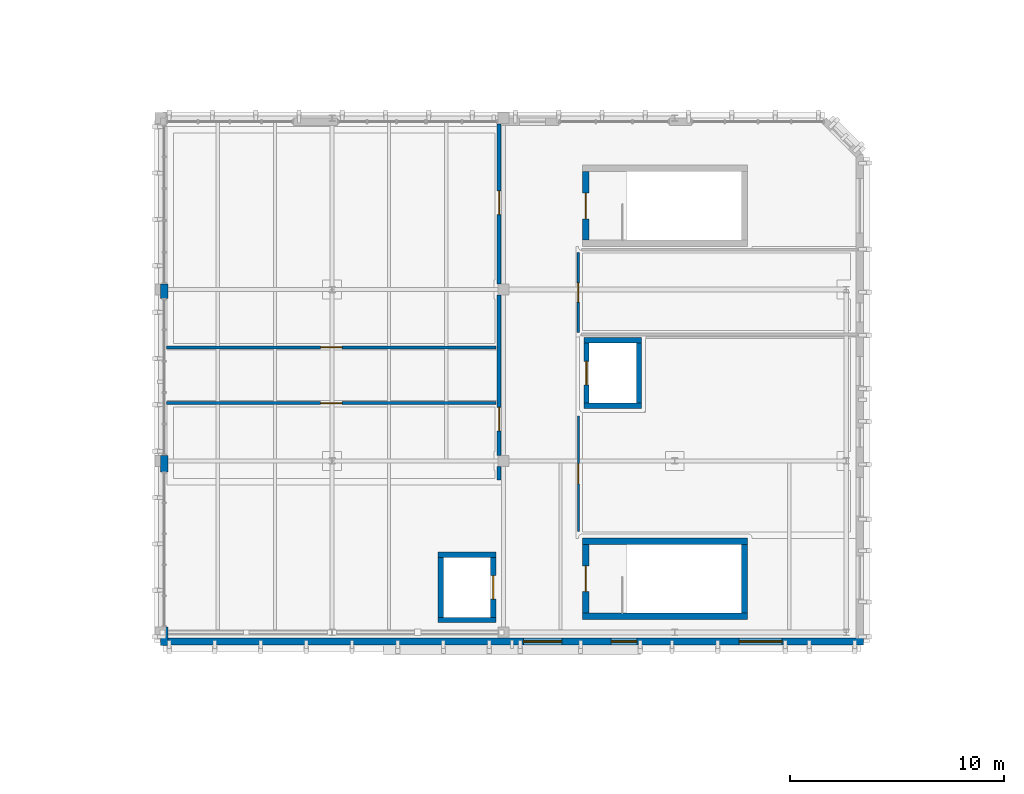
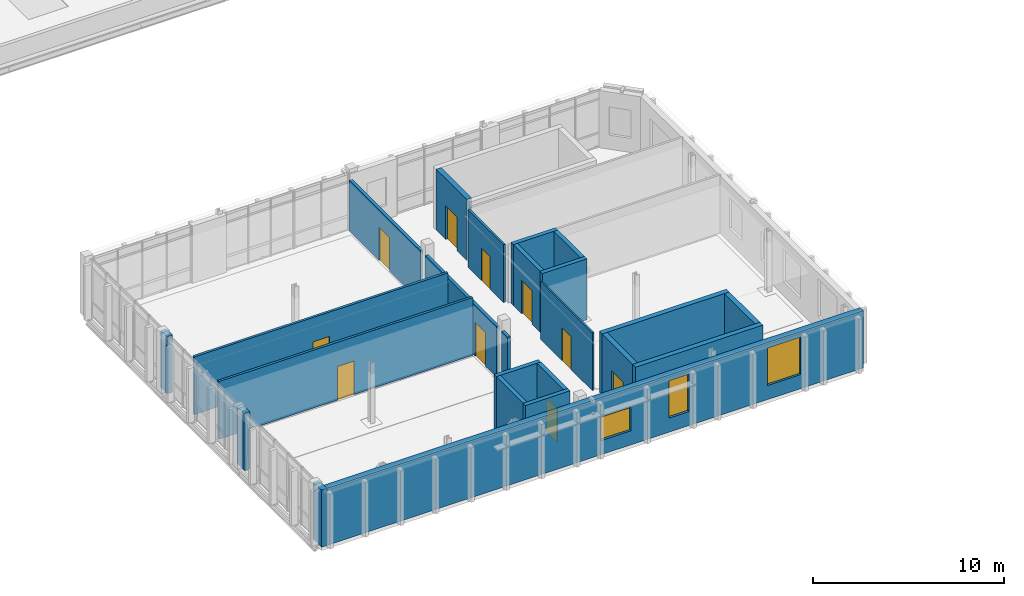
# One storey, part 18 of 28: 24 walls, 10 doors, 3 windows, 13 openings.
"""IFC4 building model written with IfcOpenShell, lengths in metres."""

from ifc_helpers import new_model, si_unit, direction, frame, frame_2d, origin, place, context, subcontext, project, spatial, rectangle, extrude, material, layer, layer_set, type_object, element, fill, save


model = new_model("IFC4")

# Units and contexts
model_context = context("Model", 3, precision=1e-05, world=origin(), true_north=direction((0.0, 1.0)))
body_context = subcontext(model_context, "Body", "Model", "MODEL_VIEW")
ifc_project = project(units=[si_unit("LENGTHUNIT", "METRE"), si_unit("AREAUNIT", "SQUARE_METRE"), si_unit("VOLUMEUNIT", "CUBIC_METRE"), si_unit("PLANEANGLEUNIT", "RADIAN"), si_unit("MASSUNIT", "GRAM", prefix="KILO")], contexts=[model_context])

# Site, building, storey
site_placement = place(None, origin())
site = spatial("IfcSite", under=ifc_project, at=site_placement, CompositionType="ELEMENT")
building_placement = place(site_placement, origin())
building = spatial("IfcBuilding", under=site, at=building_placement, Name="Cymarion Research Institute", CompositionType="ELEMENT")
storey_placement = place(building_placement, frame((0.0, 0.0, 30.60009765625)))
storey = spatial("IfcBuildingStorey", under=building, at=storey_placement, Name="L07", CompositionType="ELEMENT", Elevation=30.60009765625)

# Wall, openings, windows
ifc_material_1 = material(Name="Precast concrete C40/50", Category="concrete")
ifc_layer_1 = layer(ifc_material_1, 0.340087890625)
ifc_layer_set_1 = layer_set([ifc_layer_1], Name="Precast concrete C40/50")
wall_type_1 = type_object("IfcWallType", Name="EXTERIOR WALL EW-PC340 340MM", PredefinedType="SOLIDWALL", material=ifc_layer_set_1)
wall_1_placement = place(storey_placement, frame((14.922119140625, 47.070068359375, 0.0), z_axis=(0.0, 0.0, 1.0), x_axis=(1.0, 0.0, 0.0)))
wall_1 = element("IfcWall", 1, at=wall_1_placement, inside=storey, type_object=wall_type_1, Name="L07 V4 exterior wall EW-PC340 #287", PredefinedType="SOLIDWALL", context=body_context, shape_type="SweptSolid", body=[
    extrude(rectangle(XDim=32.477783203125, YDim=0.340087890625, at=frame_2d((16.23876953125, 0.0))), origin(), (0.0, 0.0, 1.0), 3.659912109375),
])
opening_1_placement = place(wall_1_placement, frame((16.60791015625, 0.0, 0.89990234375)))
opening_1 = element("IfcOpeningElement", 2, at=opening_1_placement, cuts=wall_1, Name="Opening W17", PredefinedType="OPENING", context=body_context, shape_type="SweptSolid", body=[
    extrude(rectangle(XDim=1.800048828125, YDim=1.5, at=frame_2d((0.89990234375, 0.75))), frame((0.0, 0.179931640625, 0.0), z_axis=(0.0, -1.0, 0.0), x_axis=(1.0, 0.0, 0.0)), (0.0, 0.0, 1.0), 0.360107421875),
])
opening_2_placement = place(wall_1_placement, frame((20.7080078125, 0.0, 0.89990234375)))
opening_2 = element("IfcOpeningElement", 3, at=opening_2_placement, cuts=wall_1, Name="Opening W19", PredefinedType="OPENING", context=body_context, shape_type="SweptSolid", body=[
    extrude(rectangle(XDim=1.199951171875, YDim=2.39990234375, at=frame_2d((0.60009765625, 1.199951171875))), frame((0.0, 0.179931640625, 0.0), z_axis=(0.0, -1.0, 0.0), x_axis=(1.0, 0.0, 0.0)), (0.0, 0.0, 1.0), 0.360107421875),
])
opening_3_placement = place(wall_1_placement, frame((26.677978515625, 0.0, 0.89990234375)))
opening_3 = element("IfcOpeningElement", 4, at=opening_3_placement, cuts=wall_1, Name="Opening W21", PredefinedType="OPENING", context=body_context, shape_type="SweptSolid", body=[
    extrude(rectangle(XDim=2.0, YDim=2.39990234375, at=frame_2d((1.0, 1.199951171875))), frame((0.0, 0.179931640625, 0.0), z_axis=(0.0, -1.0, 0.0), x_axis=(1.0, 0.0, 0.0)), (0.0, 0.0, 1.0), 0.360107421875),
])
ifc_material_2 = material(Name="Thermally broken aluminium window with Low-E glazing", Category="aluminium")
window_type_1 = type_object("IfcWindowType", Name="THERMALLY BROKEN ALUMINIUM WINDOW W17 1800X1500", PartitioningType="DOUBLE_PANEL_HORIZONTAL", PredefinedType="WINDOW", material=ifc_material_2)
window_1_placement = place(opening_1_placement, origin())
window_1 = element("IfcWindow", 5, at=window_1_placement, inside=storey, type_object=window_type_1, Name="L07 V4 facade window W17 #519", OverallHeight=1.5, OverallWidth=1.800048828125, PartitioningType="SINGLE_PANEL", PredefinedType="WINDOW", context=body_context, shape_type="SweptSolid", body=[
    extrude(rectangle(XDim=1.800048828125, YDim=1.5, at=frame_2d((0.89990234375, 0.75))), frame((0.0, 0.030029296875, 0.0), z_axis=(0.0, -1.0, 0.0), x_axis=(1.0, 0.0, 0.0)), (0.0, 0.0, 1.0), 0.06005859375),
])
fill(opening_1, window_1)
window_type_2 = type_object("IfcWindowType", Name="THERMALLY BROKEN ALUMINIUM WINDOW W19 1200X2400", PartitioningType="SINGLE_PANEL", PredefinedType="WINDOW", material=ifc_material_2)
window_2_placement = place(opening_2_placement, origin())
window_2 = element("IfcWindow", 6, at=window_2_placement, inside=storey, type_object=window_type_2, Name="L07 V4 facade window W19 #520", OverallHeight=2.39990234375, OverallWidth=1.199951171875, PartitioningType="SINGLE_PANEL", PredefinedType="WINDOW", context=body_context, shape_type="SweptSolid", body=[
    extrude(rectangle(XDim=1.199951171875, YDim=2.39990234375, at=frame_2d((0.60009765625, 1.199951171875))), frame((0.0, 0.030029296875, 0.0), z_axis=(0.0, -1.0, 0.0), x_axis=(1.0, 0.0, 0.0)), (0.0, 0.0, 1.0), 0.06005859375),
])
fill(opening_2, window_2)
window_type_3 = type_object("IfcWindowType", Name="THERMALLY BROKEN ALUMINIUM WINDOW W21 2000X2400", PartitioningType="DOUBLE_PANEL_VERTICAL", PredefinedType="WINDOW", material=ifc_material_2)
window_3_placement = place(opening_3_placement, origin())
window_3 = element("IfcWindow", 7, at=window_3_placement, inside=storey, type_object=window_type_3, Name="L07 V4 facade window W21 #521", OverallHeight=2.39990234375, OverallWidth=2.0, PartitioningType="SINGLE_PANEL", PredefinedType="WINDOW", context=body_context, shape_type="SweptSolid", body=[
    extrude(rectangle(XDim=2.0, YDim=2.39990234375, at=frame_2d((1.0, 1.199951171875))), frame((0.0, 0.030029296875, 0.0), z_axis=(0.0, -1.0, 0.0), x_axis=(1.0, 0.0, 0.0)), (0.0, 0.0, 1.0), 0.06005859375),
])
fill(opening_3, window_3)

# Walls
wall_2_placement = place(storey_placement, frame((14.77001953125, 63.760009765625, 0.0), z_axis=(0.0, 0.0, 1.0), x_axis=(0.0, -1.0, 0.0)))
element("IfcWall", 8, at=wall_2_placement, inside=storey, type_object=wall_type_1, Name="L07 V4 facade pier wall EW-PC340 #294", PredefinedType="SOLIDWALL", context=body_context, shape_type="SweptSolid", body=[
    extrude(rectangle(XDim=0.6748046875, YDim=0.340087890625, at=frame_2d((0.33740234375, 0.0))), origin(), (0.0, 0.0, 1.0), 3.659912109375),
])
wall_3_placement = place(storey_placement, frame((14.77001953125, 55.760009765625, 0.0), z_axis=(0.0, 0.0, 1.0), x_axis=(0.0, -1.0, 0.0)))
element("IfcWall", 9, at=wall_3_placement, inside=storey, type_object=wall_type_1, Name="L07 V4 facade pier wall EW-PC340 #295", PredefinedType="SOLIDWALL", context=body_context, shape_type="SweptSolid", body=[
    extrude(rectangle(XDim=0.767333984375, YDim=0.340087890625, at=frame_2d((0.3837890625, 0.0))), origin(), (0.0, 0.0, 1.0), 3.659912109375),
])
wall_4_placement = place(storey_placement, frame((14.77001953125, 47.760009765625, 0.0), z_axis=(0.0, 0.0, 1.0), x_axis=(0.0, -1.0, 0.0)))
element("IfcWall", 10, at=wall_4_placement, inside=storey, type_object=wall_type_1, Name="L07 V4 facade pier wall EW-PC340 #296", PredefinedType="SOLIDWALL", context=body_context, shape_type="SweptSolid", body=[
    extrude(rectangle(XDim=0.860107421875, YDim=0.340087890625, at=frame_2d((0.43017578125, 0.0))), origin(), (0.0, 0.0, 1.0), 3.659912109375),
])

# Wall, opening, door
ifc_material_3 = material(Name="Gypsum acoustic double-stud partition", Category="gypsum")
ifc_layer_2 = layer(ifc_material_3, 0.14990234375)
ifc_layer_set_2 = layer_set([ifc_layer_2], Name="Gypsum acoustic double-stud partition")
wall_type_2 = type_object("IfcWallType", Name="INTERIOR PARTITION IW-AC150 150MM", PredefinedType="PARTITIONING", material=ifc_layer_set_2)
wall_5_placement = place(storey_placement, frame((14.885009765625, 58.199951171875, 0.0), z_axis=(0.0, 0.0, 1.0), x_axis=(1.0, 0.0, 0.0)))
wall_5 = element("IfcWall", 11, at=wall_5_placement, inside=storey, type_object=wall_type_2, Name="L07 V4 interior partition IW-AC150 #388", PredefinedType="PARTITIONING", context=body_context, shape_type="SweptSolid", body=[
    extrude(rectangle(XDim=15.364990234375, YDim=0.14990234375, at=frame_2d((7.6826171875, 0.0))), origin(), (0.0, 0.0, 1.0), 3.699951171875),
])
opening_4_placement = place(wall_5_placement, frame((7.181884765625, 0.0, 0.0)))
opening_4 = element("IfcOpeningElement", 12, at=opening_4_placement, cuts=wall_5, Name="Opening D-L07-227", PredefinedType="OPENING", context=body_context, shape_type="SweptSolid", body=[
    extrude(rectangle(XDim=1.0, YDim=2.14990234375, at=frame_2d((0.5, 1.074951171875))), frame((0.0, 0.0849609375, 0.0), z_axis=(0.0, -1.0, 0.0), x_axis=(1.0, 0.0, 0.0)), (0.0, 0.0, 1.0), 0.169921875),
])
ifc_material_4 = material(Name="Flush acoustic timber/steel door assembly", Category="steel")
door_type_1 = type_object("IfcDoorType", Name="LABORATORY SINGLE LEAF DOOR DT-LB100 1000X2150", OperationType="NOTDEFINED", PredefinedType="DOOR", material=ifc_material_4)
door_1_placement = place(opening_4_placement, origin())
door_1 = element("IfcDoor", 13, at=door_1_placement, inside=storey, type_object=door_type_1, Name="L07 Laser Lab door D-L07-227", OperationType="SINGLE_SWING_RIGHT", OverallHeight=2.14990234375, OverallWidth=1.0, PredefinedType="DOOR", context=body_context, shape_type="SweptSolid", body=[
    extrude(rectangle(XDim=1.0, YDim=2.14990234375, at=frame_2d((0.5, 1.074951171875))), frame((0.0, 0.02490234375, 0.0), z_axis=(0.0, -1.0, 0.0), x_axis=(1.0, 0.0, 0.0)), (0.0, 0.0, 1.0), 0.050048828125),
])
fill(opening_4, door_1)

wall_6_placement = place(storey_placement, frame((14.885009765625, 60.800048828125, 0.0), z_axis=(0.0, 0.0, 1.0), x_axis=(1.0, 0.0, 0.0)))
wall_6 = element("IfcWall", 14, at=wall_6_placement, inside=storey, type_object=wall_type_2, Name="L07 V4 interior partition IW-AC150 #389", PredefinedType="PARTITIONING", context=body_context, shape_type="SweptSolid", body=[
    extrude(rectangle(XDim=15.364990234375, YDim=0.14990234375, at=frame_2d((7.6826171875, 0.0))), origin(), (0.0, 0.0, 1.0), 3.699951171875),
])
opening_5_placement = place(wall_6_placement, frame((7.181884765625, 0.0, 0.0)))
opening_5 = element("IfcOpeningElement", 15, at=opening_5_placement, cuts=wall_6, Name="Opening D-L07-228", PredefinedType="OPENING", context=body_context, shape_type="SweptSolid", body=[
    extrude(rectangle(XDim=1.0, YDim=2.14990234375, at=frame_2d((0.5, 1.074951171875))), frame((0.0, 0.0849609375, 0.0), z_axis=(0.0, -1.0, 0.0), x_axis=(1.0, 0.0, 0.0)), (0.0, 0.0, 1.0), 0.169921875),
])
door_2_placement = place(opening_5_placement, origin())
door_2 = element("IfcDoor", 16, at=door_2_placement, inside=storey, type_object=door_type_1, Name="L07 Photonics Lab door D-L07-228", OperationType="SINGLE_SWING_LEFT", OverallHeight=2.14990234375, OverallWidth=1.0, PredefinedType="DOOR", context=body_context, shape_type="SweptSolid", body=[
    extrude(rectangle(XDim=1.0, YDim=2.14990234375, at=frame_2d((0.5, 1.074951171875))), frame((0.0, 0.02490234375, 0.0), z_axis=(0.0, -1.0, 0.0), x_axis=(1.0, 0.0, 0.0)), (0.0, 0.0, 1.0), 0.050048828125),
])
fill(opening_5, door_2)

ifc_material_5 = material(Name="Framed acoustic glass laboratory screen", Category="glass")
ifc_layer_3 = layer(ifc_material_5, 0.10009765625)
ifc_layer_set_3 = layer_set([ifc_layer_3], Name="Framed acoustic glass laboratory screen")
wall_type_3 = type_object("IfcWallType", Name="INTERIOR PARTITION IW-GL100 100MM", PredefinedType="PARTITIONING", material=ifc_layer_set_3)
wall_7_placement = place(storey_placement, frame((34.10009765625, 52.199951171875, 0.0), z_axis=(0.0, 0.0, 1.0), x_axis=(0.0, 1.0, 0.0)))
wall_7 = element("IfcWall", 17, at=wall_7_placement, inside=storey, type_object=wall_type_3, Name="L07 V4 interior partition IW-GL100 #393", PredefinedType="PARTITIONING", context=body_context, shape_type="SweptSolid", body=[
    extrude(rectangle(XDim=5.400146484375, YDim=0.10009765625, at=frame_2d((2.7001953125, 0.0))), origin(), (0.0, 0.0, 1.0), 3.699951171875),
])
opening_6_placement = place(wall_7_placement, frame((2.22509765625, 0.0, 0.0)))
opening_6 = element("IfcOpeningElement", 18, at=opening_6_placement, cuts=wall_7, Name="Opening D-L07-231", PredefinedType="OPENING", context=body_context, shape_type="SweptSolid", body=[
    extrude(rectangle(XDim=0.949951171875, YDim=2.10009765625, at=frame_2d((0.47509765625, 1.050048828125))), frame((0.0, 0.06005859375, 0.0), z_axis=(0.0, -1.0, 0.0), x_axis=(1.0, 0.0, 0.0)), (0.0, 0.0, 1.0), 0.1201171875),
])
door_type_2 = type_object("IfcDoorType", Name="FACULTY STUDY DOOR DT-OF095 950X2100", OperationType="NOTDEFINED", PredefinedType="DOOR", material=ifc_material_4)
door_3_placement = place(opening_6_placement, origin())
door_3 = element("IfcDoor", 19, at=door_3_placement, inside=storey, type_object=door_type_2, Name="L07 East Write-up door D-L07-231", OperationType="SINGLE_SWING_RIGHT", OverallHeight=2.10009765625, OverallWidth=0.949951171875, PredefinedType="DOOR", context=body_context, shape_type="SweptSolid", body=[
    extrude(rectangle(XDim=0.949951171875, YDim=2.10009765625, at=frame_2d((0.47509765625, 1.050048828125))), frame((0.0, 0.02490234375, 0.0), z_axis=(0.0, -1.0, 0.0), x_axis=(1.0, 0.0, 0.0)), (0.0, 0.0, 1.0), 0.050048828125),
])
fill(opening_6, door_3)

# Wall
ifc_material_6 = material(Name="Moisture-resistant laboratory partition", Category="gypsum")
ifc_layer_4 = layer(ifc_material_6, 0.179931640625)
ifc_layer_set_4 = layer_set([ifc_layer_4], Name="Moisture-resistant laboratory partition")
wall_type_4 = type_object("IfcWallType", Name="INTERIOR PARTITION IW-LB180 180MM", PredefinedType="PARTITIONING", material=ifc_layer_set_4)
wall_8_placement = place(storey_placement, frame((30.39990234375, 54.60009765625, 0.0), z_axis=(0.0, 0.0, 1.0), x_axis=(0.0, 1.0, 0.0)))
element("IfcWall", 20, at=wall_8_placement, inside=storey, type_object=wall_type_4, Name="L07 V4 interior partition IW-LB180 #390", PredefinedType="PARTITIONING", context=body_context, shape_type="SweptSolid", body=[
    extrude(rectangle(XDim=0.64990234375, YDim=0.179931640625, at=frame_2d((0.324951171875, 0.0))), origin(), (0.0, 0.0, 1.0), 3.260009765625),
])

# Wall, opening, door
wall_9_placement = place(storey_placement, frame((30.39990234375, 55.75, 0.0), z_axis=(0.0, 0.0, 1.0), x_axis=(0.0, 1.0, 0.0)))
wall_9 = element("IfcWall", 21, at=wall_9_placement, inside=storey, type_object=wall_type_4, Name="L07 V4 interior partition IW-LB180 #391", PredefinedType="PARTITIONING", context=body_context, shape_type="SweptSolid", body=[
    extrude(rectangle(XDim=7.5, YDim=0.179931640625, at=frame_2d((3.75, 0.0))), origin(), (0.0, 0.0, 1.0), 3.260009765625),
])
opening_7_placement = place(wall_9_placement, frame((1.152099609375, 0.0, 0.0)))
opening_7 = element("IfcOpeningElement", 22, at=opening_7_placement, cuts=wall_9, Name="Opening D-L07-229", PredefinedType="OPENING", context=body_context, shape_type="SweptSolid", body=[
    extrude(rectangle(XDim=1.10009765625, YDim=2.14990234375, at=frame_2d((0.550048828125, 1.074951171875))), frame((0.0, 0.099853515625, 0.0), z_axis=(0.0, -1.0, 0.0), x_axis=(1.0, 0.0, 0.0)), (0.0, 0.0, 1.0), 0.199951171875),
])
door_type_3 = type_object("IfcDoorType", Name="LABORATORY WIDE SINGLE DOOR DT-LB110 1100X2150", OperationType="NOTDEFINED", PredefinedType="DOOR", material=ifc_material_4)
door_4_placement = place(opening_7_placement, origin())
door_4 = element("IfcDoor", 23, at=door_4_placement, inside=storey, type_object=door_type_3, Name="L07 Optics South door D-L07-229", OperationType="SINGLE_SWING_RIGHT", OverallHeight=2.14990234375, OverallWidth=1.10009765625, PredefinedType="DOOR", context=body_context, shape_type="SweptSolid", body=[
    extrude(rectangle(XDim=1.10009765625, YDim=2.14990234375, at=frame_2d((0.550048828125, 1.074951171875))), frame((0.0, 0.02490234375, 0.0), z_axis=(0.0, -1.0, 0.0), x_axis=(1.0, 0.0, 0.0)), (0.0, 0.0, 1.0), 0.050048828125),
])
fill(opening_7, door_4)

wall_10_placement = place(storey_placement, frame((30.39990234375, 63.75, 0.0), z_axis=(0.0, 0.0, 1.0), x_axis=(0.0, 1.0, 0.0)))
wall_10 = element("IfcWall", 24, at=wall_10_placement, inside=storey, type_object=wall_type_4, Name="L07 V4 interior partition IW-LB180 #392", PredefinedType="PARTITIONING", context=body_context, shape_type="SweptSolid", body=[
    extrude(rectangle(XDim=7.465087890625, YDim=0.179931640625, at=frame_2d((3.732421875, 0.0))), origin(), (0.0, 0.0, 1.0), 3.260009765625),
])
opening_8_placement = place(wall_10_placement, frame((3.248046875, 0.0, 0.0)))
opening_8 = element("IfcOpeningElement", 25, at=opening_8_placement, cuts=wall_10, Name="Opening D-L07-230", PredefinedType="OPENING", context=body_context, shape_type="SweptSolid", body=[
    extrude(rectangle(XDim=1.10009765625, YDim=2.14990234375, at=frame_2d((0.550048828125, 1.074951171875))), frame((0.0, 0.099853515625, 0.0), z_axis=(0.0, -1.0, 0.0), x_axis=(1.0, 0.0, 0.0)), (0.0, 0.0, 1.0), 0.199951171875),
])
door_5_placement = place(opening_8_placement, origin())
door_5 = element("IfcDoor", 26, at=door_5_placement, inside=storey, type_object=door_type_3, Name="L07 Optics North door D-L07-230", OperationType="SINGLE_SWING_LEFT", OverallHeight=2.14990234375, OverallWidth=1.10009765625, PredefinedType="DOOR", context=body_context, shape_type="SweptSolid", body=[
    extrude(rectangle(XDim=1.10009765625, YDim=2.14990234375, at=frame_2d((0.550048828125, 1.074951171875))), frame((0.0, 0.02490234375, 0.0), z_axis=(0.0, -1.0, 0.0), x_axis=(1.0, 0.0, 0.0)), (0.0, 0.0, 1.0), 0.050048828125),
])
fill(opening_8, door_5)

ifc_material_7 = material(Name="Service riser shaft wall", Category="gypsum")
ifc_layer_5 = layer(ifc_material_7, 0.1201171875)
ifc_layer_set_5 = layer_set([ifc_layer_5], Name="Service riser shaft wall")
wall_type_5 = type_object("IfcWallType", Name="INTERIOR PARTITION IW-SH120 120MM", PredefinedType="PARTITIONING", material=ifc_layer_set_5)
wall_11_placement = place(storey_placement, frame((34.10009765625, 61.5, 0.0), z_axis=(0.0, 0.0, 1.0), x_axis=(0.0, 1.0, 0.0)))
wall_11 = element("IfcWall", 27, at=wall_11_placement, inside=storey, type_object=wall_type_5, Name="L07 V4 interior partition IW-SH120 #394", PredefinedType="PARTITIONING", context=body_context, shape_type="SweptSolid", body=[
    extrude(rectangle(XDim=3.719970703125, YDim=0.1201171875, at=frame_2d((1.85986328125, 0.0))), origin(), (0.0, 0.0, 1.0), 3.699951171875),
])
opening_9_placement = place(wall_11_placement, frame((1.409912109375, 0.0, 0.0)))
opening_9 = element("IfcOpeningElement", 28, at=opening_9_placement, cuts=wall_11, Name="Opening D-L07-232", PredefinedType="OPENING", context=body_context, shape_type="SweptSolid", body=[
    extrude(rectangle(XDim=0.89990234375, YDim=2.10009765625, at=frame_2d((0.449951171875, 1.050048828125))), frame((0.0, 0.070068359375, 0.0), z_axis=(0.0, -1.0, 0.0), x_axis=(1.0, 0.0, 0.0)), (0.0, 0.0, 1.0), 0.14013671875),
])
door_type_4 = type_object("IfcDoorType", Name="ACCESSIBLE RESTROOM DOOR DT-WC090 900X2100", OperationType="NOTDEFINED", PredefinedType="DOOR", material=ifc_material_4)
door_6_placement = place(opening_9_placement, origin())
door_6 = element("IfcDoor", 29, at=door_6_placement, inside=storey, type_object=door_type_4, Name="L07 Upper V4 WC door D-L07-232", OperationType="SINGLE_SWING_LEFT", OverallHeight=2.10009765625, OverallWidth=0.89990234375, PredefinedType="DOOR", context=body_context, shape_type="SweptSolid", body=[
    extrude(rectangle(XDim=0.89990234375, YDim=2.10009765625, at=frame_2d((0.449951171875, 1.050048828125))), frame((0.0, 0.02490234375, 0.0), z_axis=(0.0, -1.0, 0.0), x_axis=(1.0, 0.0, 0.0)), (0.0, 0.0, 1.0), 0.050048828125),
])
fill(opening_9, door_6)

# Walls
ifc_material_8 = material(Name="Concrete C40/50", Category="concrete")
ifc_layer_6 = layer(ifc_material_8, 0.25)
ifc_layer_set_6 = layer_set([ifc_layer_6], Name="Concrete C40/50")
wall_type_6 = type_object("IfcWallType", Name="REINFORCED CONCRETE CORE WALL CW-SH250 250MM", PredefinedType="SHEAR", material=ifc_layer_set_6)
for number, where, z_axis, x_axis, name in (
    (30, (27.550048828125, 48.074951171875, 0.0), (0.0, 0.0, 1.0), (1.0, 0.0, 0.0), "L07 LSH-LP1-L07 south core wall"),
    (31, (30.25, 51.125, 0.0), (0.0, 0.0, 1.0), (-1.0, 0.0, 0.0), "L07 LSH-LP1-L07 north core wall"),
):
    element("IfcWall", number, at=place(storey_placement, frame(where, z_axis=z_axis, x_axis=x_axis)), inside=storey, type_object=wall_type_6, Name=name, PredefinedType="SHEAR", context=body_context, shape_type="SweptSolid", body=[
        extrude(rectangle(XDim=2.699951171875, YDim=0.25, at=frame_2d((1.35009765625, 0.0))), origin(), (0.0, 0.0, 1.0), 3.89990234375),
    ])
wall_12_placement = place(storey_placement, frame((27.675048828125, 51.0, 0.0), z_axis=(0.0, 0.0, 1.0), x_axis=(0.0, -1.0, 0.0)))
element("IfcWall", 32, at=wall_12_placement, inside=storey, type_object=wall_type_6, Name="L07 LSH-LP1-L07 west core wall", PredefinedType="SHEAR", context=body_context, shape_type="SweptSolid", body=[
    extrude(rectangle(XDim=2.800048828125, YDim=0.25, at=frame_2d((1.39990234375, 0.0))), origin(), (0.0, 0.0, 1.0), 3.89990234375),
])

# Wall, opening, door
wall_13_placement = place(storey_placement, frame((30.125, 48.199951171875, 0.0), z_axis=(0.0, 0.0, 1.0), x_axis=(0.0, 1.0, 0.0)))
wall_13 = element("IfcWall", 33, at=wall_13_placement, inside=storey, type_object=wall_type_6, Name="L07 LSH-LP1-L07 east core wall", PredefinedType="SHEAR", context=body_context, shape_type="SweptSolid", body=[
    extrude(rectangle(XDim=2.800048828125, YDim=0.25, at=frame_2d((1.39990234375, 0.0))), origin(), (0.0, 0.0, 1.0), 3.89990234375),
])
opening_10_placement = place(wall_13_placement, frame((0.85009765625, 0.0, 0.0)))
opening_10 = element("IfcOpeningElement", 34, at=opening_10_placement, cuts=wall_13, Name="Opening LD-LP1-L07", PredefinedType="OPENING", context=body_context, shape_type="SweptSolid", body=[
    extrude(rectangle(XDim=1.10009765625, YDim=2.14990234375, at=frame_2d((0.550048828125, 1.074951171875))), frame((0.0, 0.135009765625, 0.0), z_axis=(0.0, -1.0, 0.0), x_axis=(1.0, 0.0, 0.0)), (0.0, 0.0, 1.0), 0.27001953125),
])
ifc_material_9 = material(Name="Fire-rated insulated steel door assembly", Category="steel")
door_type_5 = type_object("IfcDoorType", Name="SLIDING LIFT LANDING DOOR DT-LD110 1100X2150", OperationType="DOUBLE_DOOR_SLIDING", PredefinedType="DOOR", material=ifc_material_9)
door_7_placement = place(opening_10_placement, origin())
door_7 = element("IfcDoor", 35, at=door_7_placement, inside=storey, type_object=door_type_5, Name="Lift LP1 landing door L07", OperationType="DOUBLE_DOOR_SLIDING", OverallHeight=2.14990234375, OverallWidth=1.10009765625, PredefinedType="DOOR", context=body_context, shape_type="SweptSolid", body=[
    extrude(rectangle(XDim=1.10009765625, YDim=2.14990234375, at=frame_2d((0.550048828125, 1.074951171875))), frame((0.0, 0.02490234375, 0.0), z_axis=(0.0, -1.0, 0.0), x_axis=(1.0, 0.0, 0.0)), (0.0, 0.0, 1.0), 0.050048828125),
])
fill(opening_10, door_7)

# Walls
for number, where, z_axis, x_axis, name in (
    (36, (34.35009765625, 58.074951171875, 0.0), (0.0, 0.0, 1.0), (1.0, 0.0, 0.0), "L07 LSH-LP4-L07 south core wall"),
    (37, (37.050048828125, 61.125, 0.0), (0.0, 0.0, 1.0), (-1.0, 0.0, 0.0), "L07 LSH-LP4-L07 north core wall"),
):
    element("IfcWall", number, at=place(storey_placement, frame(where, z_axis=z_axis, x_axis=x_axis)), inside=storey, type_object=wall_type_6, Name=name, PredefinedType="SHEAR", context=body_context, shape_type="SweptSolid", body=[
        extrude(rectangle(XDim=2.699951171875, YDim=0.25, at=frame_2d((1.35009765625, 0.0))), origin(), (0.0, 0.0, 1.0), 3.89990234375),
    ])

# Wall, opening, door
wall_14_placement = place(storey_placement, frame((34.47509765625, 61.0, 0.0), z_axis=(0.0, 0.0, 1.0), x_axis=(0.0, -1.0, 0.0)))
wall_14 = element("IfcWall", 38, at=wall_14_placement, inside=storey, type_object=wall_type_6, Name="L07 LSH-LP4-L07 west core wall", PredefinedType="SHEAR", context=body_context, shape_type="SweptSolid", body=[
    extrude(rectangle(XDim=2.800048828125, YDim=0.25, at=frame_2d((1.39990234375, 0.0))), origin(), (0.0, 0.0, 1.0), 3.89990234375),
])
opening_11_placement = place(wall_14_placement, frame((0.85009765625, 0.0, 0.0)))
opening_11 = element("IfcOpeningElement", 39, at=opening_11_placement, cuts=wall_14, Name="Opening LD-LP4-L07", PredefinedType="OPENING", context=body_context, shape_type="SweptSolid", body=[
    extrude(rectangle(XDim=1.10009765625, YDim=2.14990234375, at=frame_2d((0.550048828125, 1.074951171875))), frame((0.0, 0.135009765625, 0.0), z_axis=(0.0, -1.0, 0.0), x_axis=(1.0, 0.0, 0.0)), (0.0, 0.0, 1.0), 0.27001953125),
])
door_8_placement = place(opening_11_placement, origin())
door_8 = element("IfcDoor", 40, at=door_8_placement, inside=storey, type_object=door_type_5, Name="Lift LP4 landing door L07", OperationType="DOUBLE_DOOR_SLIDING", OverallHeight=2.14990234375, OverallWidth=1.10009765625, PredefinedType="DOOR", context=body_context, shape_type="SweptSolid", body=[
    extrude(rectangle(XDim=1.10009765625, YDim=2.14990234375, at=frame_2d((0.550048828125, 1.074951171875))), frame((0.0, 0.02490234375, 0.0), z_axis=(0.0, -1.0, 0.0), x_axis=(1.0, 0.0, 0.0)), (0.0, 0.0, 1.0), 0.050048828125),
])
fill(opening_11, door_8)

# Walls
wall_15_placement = place(storey_placement, frame((36.925048828125, 58.199951171875, 0.0), z_axis=(0.0, 0.0, 1.0), x_axis=(0.0, 1.0, 0.0)))
element("IfcWall", 41, at=wall_15_placement, inside=storey, type_object=wall_type_6, Name="L07 LSH-LP4-L07 east core wall", PredefinedType="SHEAR", context=body_context, shape_type="SweptSolid", body=[
    extrude(rectangle(XDim=2.800048828125, YDim=0.25, at=frame_2d((1.39990234375, 0.0))), origin(), (0.0, 0.0, 1.0), 3.89990234375),
])
ifc_layer_7 = layer(ifc_material_8, 0.300048828125)
ifc_layer_set_7 = layer_set([ifc_layer_7], Name="Concrete C40/50")
wall_type_7 = type_object("IfcWallType", Name="REINFORCED CONCRETE CORE WALL CW-SH300 300MM", PredefinedType="SHEAR", material=ifc_layer_set_7)
for number, where, z_axis, x_axis, name in (
    (42, (34.300048828125, 48.25, 0.0), (0.0, 0.0, 1.0), (1.0, 0.0, 0.0), "L07 SHW-C7-L07 south core wall"),
    (43, (42.0, 51.75, 0.0), (0.0, 0.0, 1.0), (-1.0, 0.0, 0.0), "L07 SHW-C7-L07 north core wall"),
):
    element("IfcWall", number, at=place(storey_placement, frame(where, z_axis=z_axis, x_axis=x_axis)), inside=storey, type_object=wall_type_7, Name=name, PredefinedType="SHEAR", context=body_context, shape_type="SweptSolid", body=[
        extrude(rectangle(XDim=7.699951171875, YDim=0.300048828125, at=frame_2d((3.85009765625, 0.0))), origin(), (0.0, 0.0, 1.0), 3.89990234375),
    ])

# Wall, opening, door
wall_16_placement = place(storey_placement, frame((34.449951171875, 51.60009765625, 0.0), z_axis=(0.0, 0.0, 1.0), x_axis=(0.0, -1.0, 0.0)))
wall_16 = element("IfcWall", 44, at=wall_16_placement, inside=storey, type_object=wall_type_7, Name="L07 SHW-C7-L07 west core wall", PredefinedType="SHEAR", context=body_context, shape_type="SweptSolid", body=[
    extrude(rectangle(XDim=3.2001953125, YDim=0.300048828125, at=frame_2d((1.60009765625, 0.0))), origin(), (0.0, 0.0, 1.0), 3.89990234375),
])
opening_12_placement = place(wall_16_placement, frame((1.0, 0.0, 0.0)))
opening_12 = element("IfcOpeningElement", 45, at=opening_12_placement, cuts=wall_16, Name="Opening FD-L07-ST7", PredefinedType="OPENING", context=body_context, shape_type="SweptSolid", body=[
    extrude(rectangle(XDim=1.199951171875, YDim=2.14990234375, at=frame_2d((0.60009765625, 1.074951171875))), frame((0.0, 0.159912109375, 0.0), z_axis=(0.0, -1.0, 0.0), x_axis=(1.0, 0.0, 0.0)), (0.0, 0.0, 1.0), 0.320068359375),
])
door_type_6 = type_object("IfcDoorType", Name="SMOKE PROOF STAIR FIRE DOOR DT-ST120 1200X2150", OperationType="NOTDEFINED", PredefinedType="DOOR", material=ifc_material_9)
door_9_placement = place(opening_12_placement, origin())
door_9 = element("IfcDoor", 46, at=door_9_placement, inside=storey, type_object=door_type_6, Name="L07 ST7 smoke-proof stair door FD-L07-ST7", OperationType="SINGLE_SWING_LEFT", OverallHeight=2.14990234375, OverallWidth=1.199951171875, PredefinedType="DOOR", context=body_context, shape_type="SweptSolid", body=[
    extrude(rectangle(XDim=1.199951171875, YDim=2.14990234375, at=frame_2d((0.60009765625, 1.074951171875))), frame((0.0, 0.02490234375, 0.0), z_axis=(0.0, -1.0, 0.0), x_axis=(1.0, 0.0, 0.0)), (0.0, 0.0, 1.0), 0.050048828125),
])
fill(opening_12, door_9)

# Wall
wall_17_placement = place(storey_placement, frame((41.85009765625, 48.39990234375, 0.0), z_axis=(0.0, 0.0, 1.0), x_axis=(0.0, 1.0, 0.0)))
element("IfcWall", 47, at=wall_17_placement, inside=storey, type_object=wall_type_7, Name="L07 SHW-C7-L07 east core wall", PredefinedType="SHEAR", context=body_context, shape_type="SweptSolid", body=[
    extrude(rectangle(XDim=3.2001953125, YDim=0.300048828125, at=frame_2d((1.60009765625, 0.0))), origin(), (0.0, 0.0, 1.0), 3.89990234375),
])

# Wall, opening, door
wall_18_placement = place(storey_placement, frame((34.449951171875, 69.0, 0.0), z_axis=(0.0, 0.0, 1.0), x_axis=(0.0, -1.0, 0.0)))
wall_18 = element("IfcWall", 48, at=wall_18_placement, inside=storey, type_object=wall_type_7, Name="L07 SHW-C8-L07 west core wall", PredefinedType="SHEAR", context=body_context, shape_type="SweptSolid", body=[
    extrude(rectangle(XDim=3.199951171875, YDim=0.300048828125, at=frame_2d((1.60009765625, 0.0))), origin(), (0.0, 0.0, 1.0), 3.89990234375),
])
opening_13_placement = place(wall_18_placement, frame((1.0, 0.0, 0.0)))
opening_13 = element("IfcOpeningElement", 49, at=opening_13_placement, cuts=wall_18, Name="Opening FD-L07-ST8", PredefinedType="OPENING", context=body_context, shape_type="SweptSolid", body=[
    extrude(rectangle(XDim=1.199951171875, YDim=2.14990234375, at=frame_2d((0.60009765625, 1.074951171875))), frame((0.0, 0.159912109375, 0.0), z_axis=(0.0, -1.0, 0.0), x_axis=(1.0, 0.0, 0.0)), (0.0, 0.0, 1.0), 0.320068359375),
])
door_10_placement = place(opening_13_placement, origin())
door_10 = element("IfcDoor", 50, at=door_10_placement, inside=storey, type_object=door_type_6, Name="L07 ST8 smoke-proof stair door FD-L07-ST8", OperationType="SINGLE_SWING_RIGHT", OverallHeight=2.14990234375, OverallWidth=1.199951171875, PredefinedType="DOOR", context=body_context, shape_type="SweptSolid", body=[
    extrude(rectangle(XDim=1.199951171875, YDim=2.14990234375, at=frame_2d((0.60009765625, 1.074951171875))), frame((0.0, 0.02490234375, 0.0), z_axis=(0.0, -1.0, 0.0), x_axis=(1.0, 0.0, 0.0)), (0.0, 0.0, 1.0), 0.050048828125),
])
fill(opening_13, door_10)

save(model, "model.ifc")
